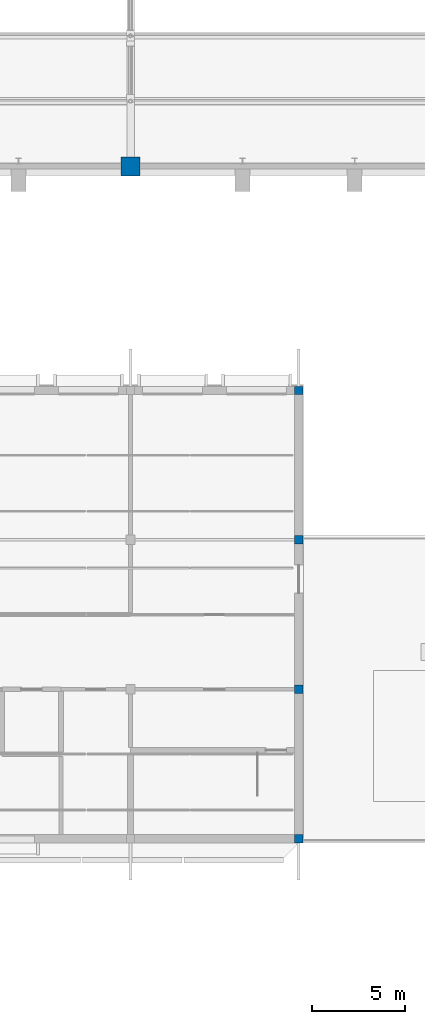
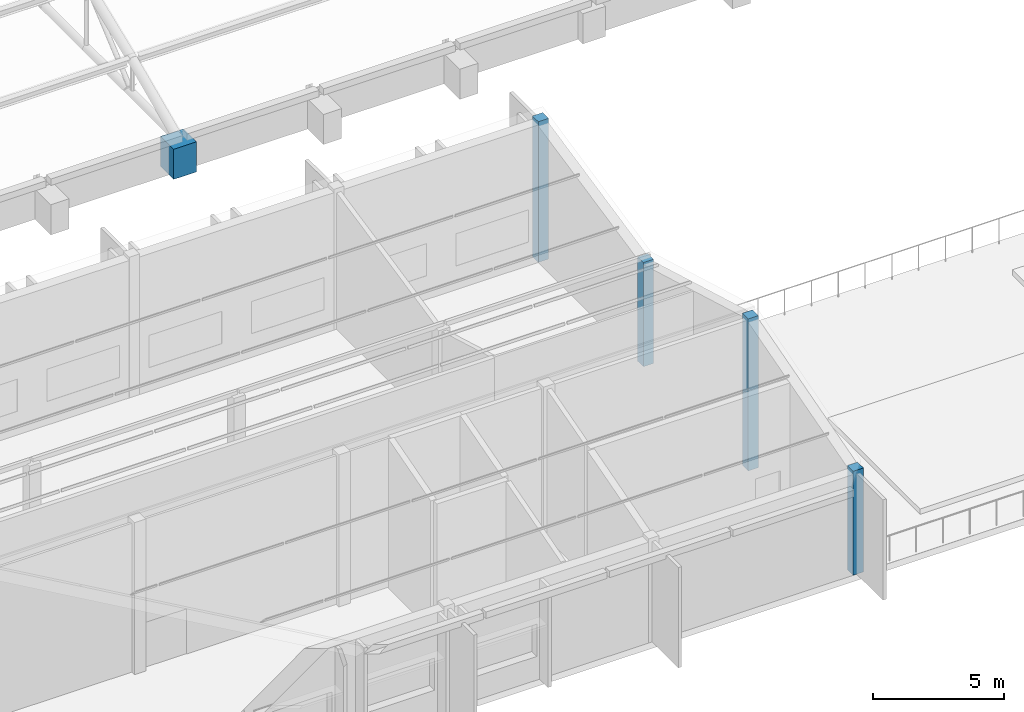
# One storey, part 8 of 196: 5 columns.
"""IFC4 building model written with IfcOpenShell, lengths in metres."""

from ifc_helpers import new_model, si_unit, direction, frame, origin, origin_2d, place, context, subcontext, project, spatial, rectangle, extrude, material, material_profile, profile_set, type_object, element, save


model = new_model("IFC4")

# Units and contexts
model_context = context("Model", 3, precision=1e-05, world=origin(), true_north=direction((0.0, 1.0)))
body_context = subcontext(model_context, "Body", "Model", "MODEL_VIEW")
ifc_project = project(units=[si_unit("LENGTHUNIT", "METRE"), si_unit("AREAUNIT", "SQUARE_METRE"), si_unit("VOLUMEUNIT", "CUBIC_METRE"), si_unit("PLANEANGLEUNIT", "RADIAN"), si_unit("MASSUNIT", "GRAM", prefix="KILO")], contexts=[model_context])

# Site, building, storey
site_placement = place(None, origin())
site = spatial("IfcSite", under=ifc_project, at=site_placement, CompositionType="ELEMENT")
building_placement = place(site_placement, origin())
building = spatial("IfcBuilding", under=site, at=building_placement, Name="Okhra Congress Centre", CompositionType="ELEMENT")
storey_placement = place(building_placement, frame((0.0, 0.0, 12.0)))
storey = spatial("IfcBuildingStorey", under=building, at=storey_placement, Name="L02", CompositionType="ELEMENT", Elevation=12.0)

# Columns
ifc_material_1 = material(Name="Concrete C40/50", Category="concrete")
ifc_material_profile_1 = material_profile(ifc_material_1, rectangle(XDim=1.0, YDim=1.0, at=origin_2d()), Name="RC 1000x1000")
ifc_profile_set_1 = profile_set([ifc_material_profile_1], Name="Concrete C40/50")
column_type_1 = type_object("IfcColumnType", Name="RC column 1000x1000 C40/50", PredefinedType="COLUMN", material=ifc_profile_set_1)
column_1_placement = place(storey_placement, frame((64.0, 132.0, 0.0), z_axis=(0.0, 0.0, 1.0), x_axis=(1.0, 0.0, 0.0)))
element("IfcColumn", 1, at=column_1_placement, inside=storey, type_object=column_type_1, Name="EH.COL.L02.SC5", PredefinedType="COLUMN", context=body_context, shape_type="SweptSolid", body=[
    extrude(rectangle(XDim=1.0, YDim=1.0, at=origin_2d()), origin(), (0.0, 0.0, 1.0), 1.39990234375),
])
ifc_material_2 = material(Name="Concrete C35/45", Category="concrete")
ifc_material_profile_2 = material_profile(ifc_material_2, rectangle(XDim=0.449951171875, YDim=0.449951171875, at=origin_2d()), Name="RC 450x450")
ifc_profile_set_2 = profile_set([ifc_material_profile_2], Name="Concrete C35/45")
column_type_2 = type_object("IfcColumnType", Name="RC column 450x450 C35/45", PredefinedType="COLUMN", material=ifc_profile_set_2)
column_2_placement = place(storey_placement, frame((73.0, 96.0, 0.0), z_axis=(0.0, 0.0, 1.0), x_axis=(1.0, 0.0, 0.0)))
element("IfcColumn", 2, at=column_2_placement, inside=storey, type_object=column_type_2, Name="SV.COL.L02.21", PredefinedType="COLUMN", context=body_context, shape_type="SweptSolid", body=[
    extrude(rectangle(XDim=0.449951171875, YDim=0.449951171875, at=origin_2d()), origin(), (0.0, 0.0, 1.0), 4.837890625),
])
column_3_placement = place(storey_placement, frame((73.0, 104.0, 0.0), z_axis=(0.0, 0.0, 1.0), x_axis=(1.0, 0.0, 0.0)))
element("IfcColumn", 3, at=column_3_placement, inside=storey, type_object=column_type_2, Name="SV.COL.L02.22", PredefinedType="COLUMN", context=body_context, shape_type="SweptSolid", body=[
    extrude(rectangle(XDim=0.449951171875, YDim=0.449951171875, at=origin_2d()), origin(), (0.0, 0.0, 1.0), 7.07177734375),
])
column_4_placement = place(storey_placement, frame((73.0, 112.0, 0.0), z_axis=(0.0, 0.0, 1.0), x_axis=(1.0, 0.0, 0.0)))
element("IfcColumn", 4, at=column_4_placement, inside=storey, type_object=column_type_2, Name="SV.COL.L02.23", PredefinedType="COLUMN", context=body_context, shape_type="SweptSolid", body=[
    extrude(rectangle(XDim=0.449951171875, YDim=0.449951171875, at=origin_2d()), origin(), (0.0, 0.0, 1.0), 4.84326171875),
])
column_5_placement = place(storey_placement, frame((73.0, 120.0, 0.0), z_axis=(0.0, 0.0, 1.0), x_axis=(1.0, 0.0, 0.0)))
element("IfcColumn", 5, at=column_5_placement, inside=storey, type_object=column_type_2, Name="SV.COL.L02.24", PredefinedType="COLUMN", context=body_context, shape_type="SweptSolid", body=[
    extrude(rectangle(XDim=0.449951171875, YDim=0.449951171875, at=origin_2d()), origin(), (0.0, 0.0, 1.0), 6.543701171875),
])

save(model, "model.ifc")
